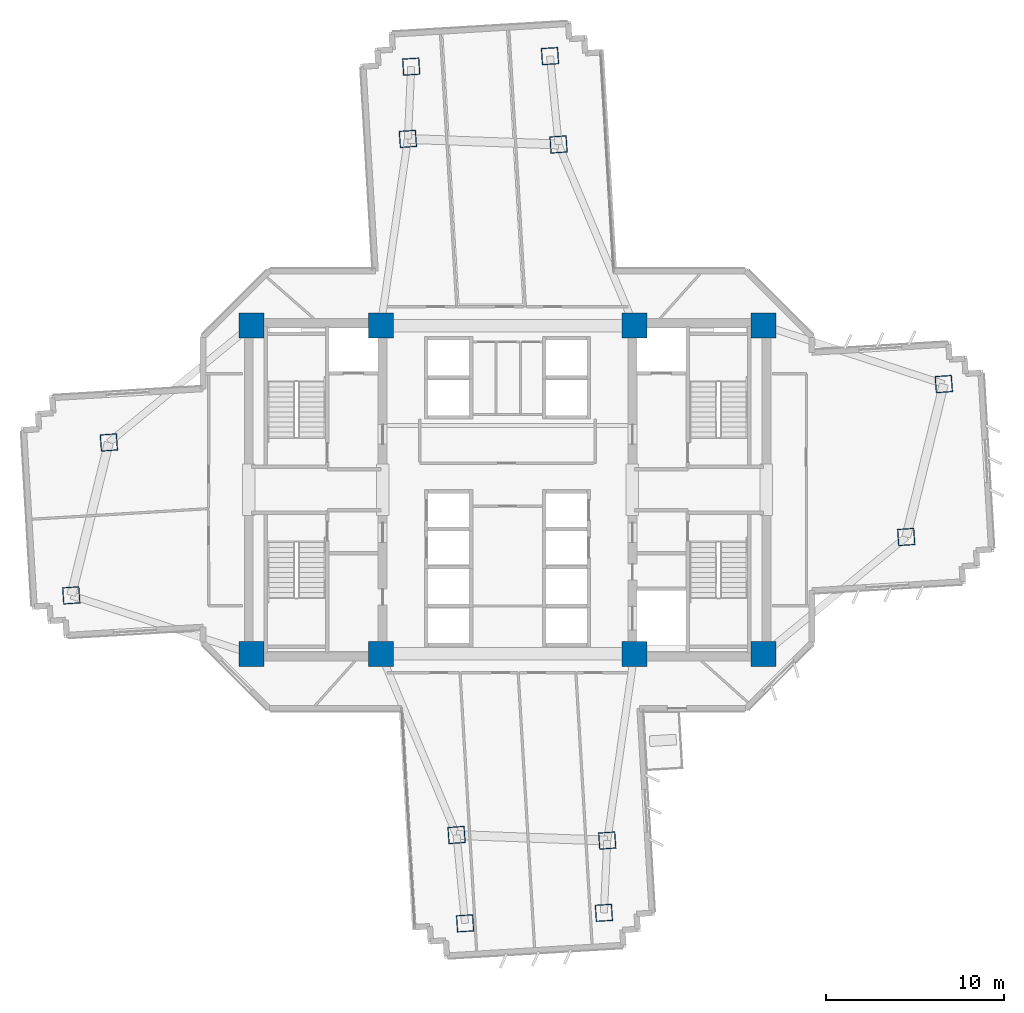
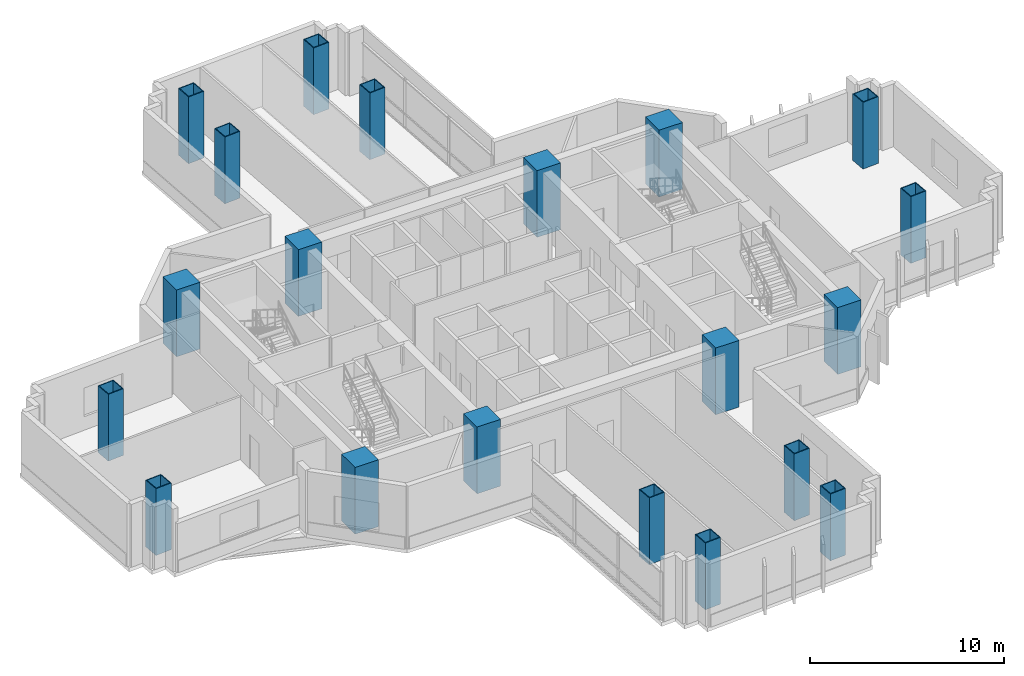
# One storey, part 1 of 15: 20 columns.
"""IFC4 building model written with IfcOpenShell, lengths in metres."""

from ifc_helpers import new_model, si_unit, direction, frame, origin, origin_2d, place, context, subcontext, project, spatial, rectangle, hollow_rectangle, extrude, source, transform, mapped, material, material_profile, profile_set, type_object, element, save


model = new_model("IFC4")

# Units and contexts
model_context = context("Model", 3, precision=1e-05, world=origin(), true_north=direction((0.0, 1.0)))
body_context = subcontext(model_context, "Body", "Model", "MODEL_VIEW")
ifc_project = project(units=[si_unit("LENGTHUNIT", "METRE"), si_unit("AREAUNIT", "SQUARE_METRE"), si_unit("VOLUMEUNIT", "CUBIC_METRE"), si_unit("PLANEANGLEUNIT", "RADIAN"), si_unit("MASSUNIT", "GRAM", prefix="KILO")], contexts=[model_context])

# Site, building, storey
site_placement = place(None, origin())
site = spatial("IfcSite", under=ifc_project, at=site_placement, CompositionType="ELEMENT")
building_placement = place(site_placement, origin())
building = spatial("IfcBuilding", under=site, at=building_placement, Name="Zahravan Cultural Tower", CompositionType="ELEMENT")
storey_placement = place(building_placement, frame((0.0, 0.0, 66.89990234375)))
storey = spatial("IfcBuildingStorey", under=building, at=storey_placement, Name="L14", CompositionType="ELEMENT", Elevation=66.89990234375)

# Columns
ifc_material_1 = material(Name="Concrete C60/75", Category="concrete")
ifc_material_profile_1 = material_profile(ifc_material_1, rectangle(XDim=1.39990234375, YDim=1.39990234375, at=origin_2d()), Name="RC1400X1400")
ifc_profile_set_1 = profile_set([ifc_material_profile_1], Name="Concrete C60/75")
column_type_1 = type_object("IfcColumnType", Name="COL-RC1400", PredefinedType="COLUMN", material=ifc_profile_set_1)
shared_shape_1 = source(origin(), body_context, "Body", "SweptSolid", [
    extrude(rectangle(XDim=1.39990234375, YDim=1.39990234375, at=origin_2d()), origin(), (0.0, 0.0, 1.0), 4.2001953125),
])
for number, where, z_axis, x_axis, name in (
    (1, (21.64990234375, 17.800048828125, 0.0), (0.0, 0.0, 1.0), (1.0, 0.0, 0.0), "L14 Column CC-W1"),
    (2, (28.89990234375, 17.800048828125, 0.0), (0.0, 0.0, 1.0), (1.0, 0.0, 0.0), "L14 Column CC-W2"),
    (3, (21.64990234375, 36.199951171875, 0.0), (0.0, 0.0, 1.0), (1.0, 0.0, 0.0), "L14 Column CC-W3"),
    (4, (28.89990234375, 36.199951171875, 0.0), (0.0, 0.0, 1.0), (1.0, 0.0, 0.0), "L14 Column CC-W4"),
    (5, (43.10009765625, 17.800048828125, 0.0), (0.0, 0.0, 1.0), (1.0, 0.0, 0.0), "L14 Column CC-E1"),
    (6, (50.35009765625, 17.800048828125, 0.0), (0.0, 0.0, 1.0), (1.0, 0.0, 0.0), "L14 Column CC-E2"),
    (7, (43.10009765625, 36.199951171875, 0.0), (0.0, 0.0, 1.0), (1.0, 0.0, 0.0), "L14 Column CC-E3"),
    (8, (50.35009765625, 36.199951171875, 0.0), (0.0, 0.0, 1.0), (1.0, 0.0, 0.0), "L14 Column CC-E4"),
):
    element("IfcColumn", number, at=place(storey_placement, frame(where, z_axis=z_axis, x_axis=x_axis)), inside=storey, type_object=column_type_1, Name=name, PredefinedType="COLUMN", context=body_context, shape_type="MappedRepresentation", body=[
        mapped(shared_shape_1, transform((0.0, 0.0, 0.0), x_axis=(1.0, 0.0, 0.0), y_axis=(0.0, 1.0, 0.0), z_axis=(0.0, 0.0, 1.0), scale=1.0)),
    ])
ifc_material_2 = material(Name="Steel ASTM A572 Grade 50", Category="steel")
ifc_material_profile_2 = material_profile(ifc_material_2, hollow_rectangle(XDim=0.949951171875, YDim=0.949951171875, WallThickness=0.050048828125, at=origin_2d()), Name="BOX950X950X50")
ifc_profile_set_2 = profile_set([ifc_material_profile_2], Name="Steel ASTM A572 Grade 50")
column_type_2 = type_object("IfcColumnType", Name="COL-BOX950", PredefinedType="COLUMN", material=ifc_profile_set_2)
shared_shape_2 = source(origin(), body_context, "Body", "SweptSolid", [
    extrude(hollow_rectangle(XDim=0.949951171875, YDim=0.949951171875, WallThickness=0.050048828125, at=origin_2d()), origin(), (0.0, 0.0, 1.0), 4.2001953125),
])
for number, where, z_axis, x_axis, name in (
    (9, (58.339111328125, 24.351806640625, 0.0), (0.0, 0.0, 1.0), (0.99756405026, 0.069756473744, 0.0), "L14 Column Z1C-E1"),
    (10, (60.446533203125, 32.919677734375, 0.0), (0.0, 0.0, 1.0), (0.99756405026, 0.069756473744, 0.0), "L14 Column Z1C-E2"),
    (11, (38.857421875, 46.346435546875, 0.0), (0.0, 0.0, 1.0), (-0.069756473744, 0.99756405026, 0.0), "L14 Column Z1C-N1"),
    (12, (30.4150390625, 46.658203125, 0.0), (0.0, 0.0, 1.0), (-0.069756473744, 0.99756405026, 0.0), "L14 Column Z1C-N2"),
    (13, (13.660888671875, 29.648193359375, 0.0), (0.0, 0.0, 1.0), (0.99756405026, 0.069756473744, 0.0), "L14 Column Z1C-W1"),
    (14, (11.553466796875, 21.080322265625, 0.0), (0.0, 0.0, 1.0), (0.99756405026, 0.069756473744, 0.0), "L14 Column Z1C-W2"),
    (15, (33.142578125, 7.653564453125, 0.0), (0.0, 0.0, 1.0), (-0.069756473744, 0.99756405026, 0.0), "L14 Column Z1C-S1"),
    (16, (41.5849609375, 7.341796875, 0.0), (0.0, 0.0, 1.0), (-0.069756473744, 0.99756405026, 0.0), "L14 Column Z1C-S2"),
    (17, (38.379150390625, 51.29736328125, 0.0), (0.0, 0.0, 1.0), (-0.062790519529, 0.998026728428, 0.0), "L14 Column Z1T-N1"),
    (18, (30.6005859375, 50.707763671875, 0.0), (0.0, 0.0, 1.0), (-0.062790519529, 0.998026728428, 0.0), "L14 Column Z1T-N2"),
    (19, (33.620849609375, 2.70263671875, 0.0), (0.0, 0.0, 1.0), (-0.062790519529, 0.998026728428, 0.0), "L14 Column Z1T-S1"),
    (20, (41.3994140625, 3.292236328125, 0.0), (0.0, 0.0, 1.0), (-0.062790519529, 0.998026728428, 0.0), "L14 Column Z1T-S2"),
):
    element("IfcColumn", number, at=place(storey_placement, frame(where, z_axis=z_axis, x_axis=x_axis)), inside=storey, type_object=column_type_2, Name=name, PredefinedType="COLUMN", context=body_context, shape_type="MappedRepresentation", body=[
        mapped(shared_shape_2, transform((0.0, 0.0, 0.0), x_axis=(1.0, 0.0, 0.0), y_axis=(0.0, 1.0, 0.0), z_axis=(0.0, 0.0, 1.0), scale=1.0)),
    ])

save(model, "model.ifc")
